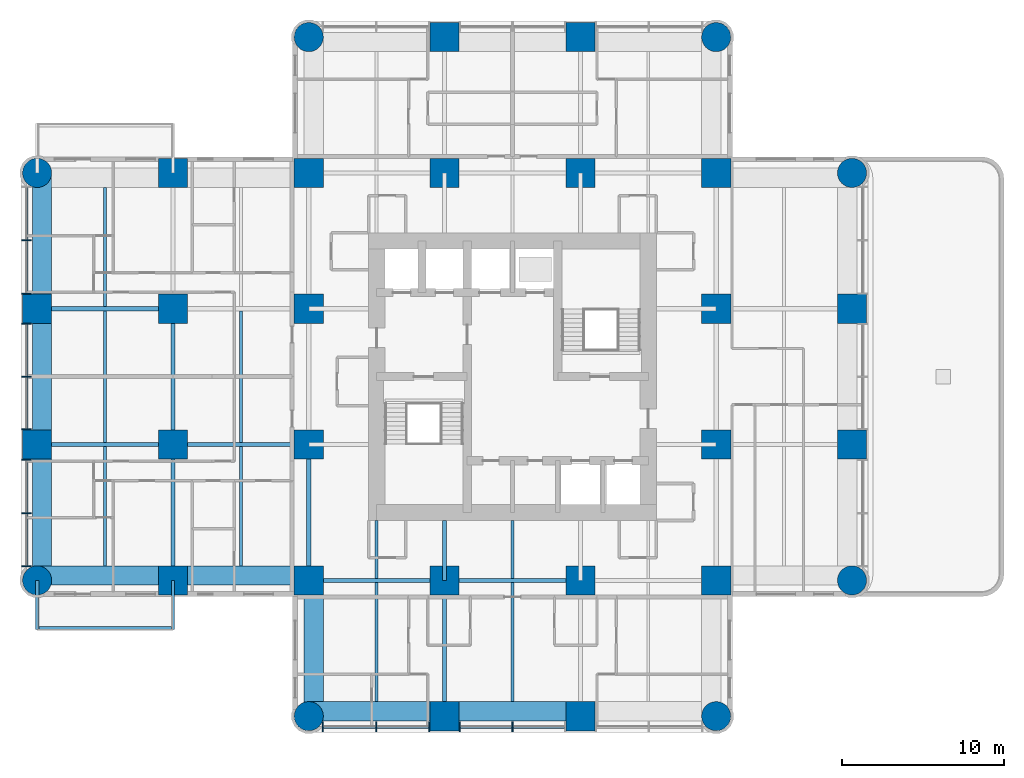
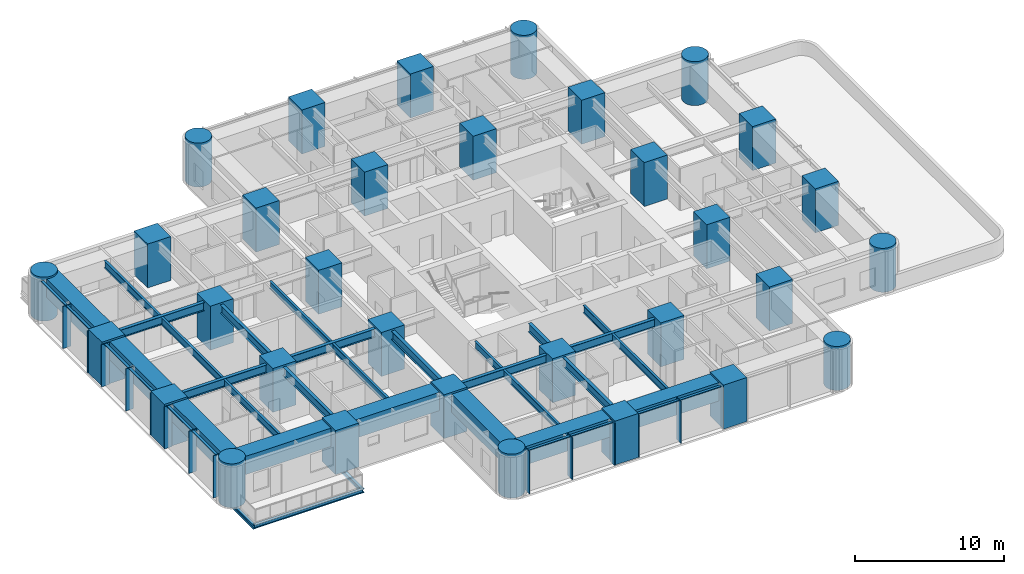
# One storey, part 1 of 12: 32 columns, 30 beams, 23 members, 2 elements without a shape of their own.
"""IFC4 building model written with IfcOpenShell, lengths in metres."""

from ifc_helpers import new_model, si_unit, direction, frame, origin, origin_2d, place, context, subcontext, project, spatial, rectangle, circle, i_section, extrude, material, material_profile, profile_set, type_object, element, aggregate, save


model = new_model("IFC4")

# Units and contexts
model_context = context("Model", 3, precision=1e-05, world=origin(), true_north=direction((0.0, 1.0)))
body_context = subcontext(model_context, "Body", "Model", "MODEL_VIEW")
ifc_project = project(units=[si_unit("LENGTHUNIT", "METRE"), si_unit("AREAUNIT", "SQUARE_METRE"), si_unit("VOLUMEUNIT", "CUBIC_METRE"), si_unit("PLANEANGLEUNIT", "RADIAN"), si_unit("MASSUNIT", "GRAM", prefix="KILO")], contexts=[model_context])

# Site, building, storey
site_placement = place(None, origin())
site = spatial("IfcSite", under=ifc_project, at=site_placement, CompositionType="ELEMENT")
building_placement = place(site_placement, origin())
building = spatial("IfcBuilding", under=site, at=building_placement, Name="Torre Alcanfor", CompositionType="ELEMENT")
storey_placement = place(building_placement, frame((0.0, 0.0, 183.300048828125)))
storey = spatial("IfcBuildingStorey", under=building, at=storey_placement, Name="L47", CompositionType="ELEMENT", Elevation=183.300048828125)

# Columns
ifc_material_1 = material(Name="Concrete f'c 70 MPa", Category="concrete")
ifc_material_profile_1 = material_profile(ifc_material_1, rectangle(XDim=1.800048828125, YDim=1.800048828125, at=origin_2d()), Name="1800x1800")
ifc_profile_set_1 = profile_set([ifc_material_profile_1], Name="Concrete f'c 70 MPa")
column_type_1 = type_object("IfcColumnType", Name="RC column 1800x1800 f'c70", PredefinedType="COLUMN", material=ifc_profile_set_1)
for number, where, z_axis, x_axis, name in (
    (1, (0.0, 25.199951171875, 0.0), (0.0, 0.0, 1.0), (1.0, 0.0, 0.0), "Column 1/F L47"),
    (2, (0.0, 33.60009765625, 0.0), (0.0, 0.0, 1.0), (1.0, 0.0, 0.0), "Column 1/G L47"),
    (3, (8.39990234375, 16.800048828125, 0.0), (0.0, 0.0, 1.0), (1.0, 0.0, 0.0), "Column 2/E L47"),
    (4, (8.39990234375, 25.199951171875, 0.0), (0.0, 0.0, 1.0), (1.0, 0.0, 0.0), "Column 2/F L47"),
    (5, (8.39990234375, 33.60009765625, 0.0), (0.0, 0.0, 1.0), (1.0, 0.0, 0.0), "Column 2/G L47"),
    (6, (8.39990234375, 42.0, 0.0), (0.0, 0.0, 1.0), (1.0, 0.0, 0.0), "Column 2/H L47"),
    (7, (16.800048828125, 16.800048828125, 0.0), (0.0, 0.0, 1.0), (1.0, 0.0, 0.0), "Column 3/E L47"),
    (8, (16.800048828125, 25.199951171875, 0.0), (0.0, 0.0, 1.0), (1.0, 0.0, 0.0), "Column 3/F L47"),
    (9, (16.800048828125, 33.60009765625, 0.0), (0.0, 0.0, 1.0), (1.0, 0.0, 0.0), "Column 3/G L47"),
    (10, (16.800048828125, 42.0, 0.0), (0.0, 0.0, 1.0), (1.0, 0.0, 0.0), "Column 3/H L47"),
    (11, (25.199951171875, 8.39990234375, 0.0), (0.0, 0.0, 1.0), (1.0, 0.0, 0.0), "Column 4/D L47"),
    (12, (25.199951171875, 16.800048828125, 0.0), (0.0, 0.0, 1.0), (1.0, 0.0, 0.0), "Column 4/E L47"),
    (13, (25.199951171875, 42.0, 0.0), (0.0, 0.0, 1.0), (1.0, 0.0, 0.0), "Column 4/H L47"),
    (14, (25.199951171875, 50.39990234375, 0.0), (0.0, 0.0, 1.0), (1.0, 0.0, 0.0), "Column 4/J L47"),
    (15, (33.60009765625, 8.39990234375, 0.0), (0.0, 0.0, 1.0), (1.0, 0.0, 0.0), "Column 5/D L47"),
    (16, (33.60009765625, 16.800048828125, 0.0), (0.0, 0.0, 1.0), (1.0, 0.0, 0.0), "Column 5/E L47"),
    (17, (33.60009765625, 42.0, 0.0), (0.0, 0.0, 1.0), (1.0, 0.0, 0.0), "Column 5/H L47"),
    (18, (33.60009765625, 50.39990234375, 0.0), (0.0, 0.0, 1.0), (1.0, 0.0, 0.0), "Column 5/J L47"),
    (19, (42.0, 16.800048828125, 0.0), (0.0, 0.0, 1.0), (1.0, 0.0, 0.0), "Column 6/E L47"),
    (20, (42.0, 25.199951171875, 0.0), (0.0, 0.0, 1.0), (1.0, 0.0, 0.0), "Column 6/F L47"),
    (21, (42.0, 33.60009765625, 0.0), (0.0, 0.0, 1.0), (1.0, 0.0, 0.0), "Column 6/G L47"),
    (22, (42.0, 42.0, 0.0), (0.0, 0.0, 1.0), (1.0, 0.0, 0.0), "Column 6/H L47"),
    (23, (50.39990234375, 25.199951171875, 0.0), (0.0, 0.0, 1.0), (1.0, 0.0, 0.0), "Column 7/F L47"),
    (24, (50.39990234375, 33.60009765625, 0.0), (0.0, 0.0, 1.0), (1.0, 0.0, 0.0), "Column 7/G L47"),
):
    element("IfcColumn", number, at=place(storey_placement, frame(where, z_axis=z_axis, x_axis=x_axis)), inside=storey, type_object=column_type_1, Name=name, PredefinedType="COLUMN", context=body_context, shape_type="SweptSolid", body=[
        extrude(rectangle(XDim=1.800048828125, YDim=1.800048828125, at=origin_2d()), origin(), (0.0, 0.0, 1.0), 3.599853515625),
    ])
ifc_material_2 = material(Name="Concrete f'c 70 MPa", Category="concrete")
ifc_material_profile_2 = material_profile(ifc_material_2, circle(Radius=0.89990234375, at=origin_2d()), Name="D1800")
ifc_profile_set_2 = profile_set([ifc_material_profile_2], Name="Concrete f'c 70 MPa")
column_type_2 = type_object("IfcColumnType", Name="RC column D1800 f'c70", PredefinedType="COLUMN", material=ifc_profile_set_2)
for number, where, z_axis, x_axis, name in (
    (25, (0.0, 16.800048828125, 0.0), (0.0, 0.0, 1.0), (1.0, 0.0, 0.0), "Column 1/E L47"),
    (26, (0.0, 42.0, 0.0), (0.0, 0.0, 1.0), (1.0, 0.0, 0.0), "Column 1/H L47"),
    (27, (16.800048828125, 8.39990234375, 0.0), (0.0, 0.0, 1.0), (1.0, 0.0, 0.0), "Column 3/D L47"),
    (28, (16.800048828125, 50.39990234375, 0.0), (0.0, 0.0, 1.0), (1.0, 0.0, 0.0), "Column 3/J L47"),
    (29, (42.0, 8.39990234375, 0.0), (0.0, 0.0, 1.0), (1.0, 0.0, 0.0), "Column 6/D L47"),
    (30, (42.0, 50.39990234375, 0.0), (0.0, 0.0, 1.0), (1.0, 0.0, 0.0), "Column 6/J L47"),
    (31, (50.39990234375, 16.800048828125, 0.0), (0.0, 0.0, 1.0), (1.0, 0.0, 0.0), "Column 7/E L47"),
    (32, (50.39990234375, 42.0, 0.0), (0.0, 0.0, 1.0), (1.0, 0.0, 0.0), "Column 7/H L47"),
):
    element("IfcColumn", number, at=place(storey_placement, frame(where, z_axis=z_axis, x_axis=x_axis)), inside=storey, type_object=column_type_2, Name=name, PredefinedType="COLUMN", context=body_context, shape_type="SweptSolid", body=[
        extrude(circle(Radius=0.89990234375, at=origin_2d()), origin(), (0.0, 0.0, 1.0), 3.599853515625),
    ])

# Beams
ifc_material_3 = material(Name="Steel ASTM A992 Grade 50", Category="steel")
ifc_material_profile_3 = material_profile(ifc_material_3, i_section(OverallWidth=0.205322265625, OverallDepth=0.309814453125, WebThickness=0.00927734375, FlangeThickness=0.016357421875, at=origin_2d()), Name="W12x50")
ifc_profile_set_3 = profile_set([ifc_material_profile_3], Name="Steel ASTM A992 Grade 50")
beam_type_1 = type_object("IfcBeamType", Name="Balcony cantilever beam W12x50", PredefinedType="BEAM", material=ifc_profile_set_3)
for number, where, z_axis, x_axis, name in (
    (33, (8.39990234375, 16.800048828125, -0.35498046875), (0.0, -1.0, 0.0), (1.0, 0.0, 0.0), "Balcony cantilever beam L47-W1 1"),
    (34, (0.0, 16.800048828125, -0.35498046875), (0.0, -1.0, 0.0), (1.0, 0.0, 0.0), "Balcony cantilever beam L47-W1 2"),
):
    element("IfcBeam", number, at=place(storey_placement, frame(where, z_axis=z_axis, x_axis=x_axis)), inside=storey, type_object=beam_type_1, Name=name, PredefinedType="BEAM", context=body_context, shape_type="SweptSolid", body=[
        extrude(i_section(OverallWidth=0.205322265625, OverallDepth=0.309814453125, WebThickness=0.00927734375, FlangeThickness=0.016357421875, at=origin_2d()), origin(), (0.0, 0.0, 1.0), 3.050048828125),
    ])
ifc_material_4 = material(Name="Steel ASTM A992 Grade 50", Category="steel")
ifc_material_profile_4 = material_profile(ifc_material_4, i_section(OverallWidth=0.203369140625, OverallDepth=0.30224609375, WebThickness=0.007568359375, FlangeThickness=0.01318359375, at=origin_2d()), Name="W12x40")
ifc_profile_set_4 = profile_set([ifc_material_profile_4], Name="Steel ASTM A992 Grade 50")
beam_type_2 = type_object("IfcBeamType", Name="Balcony edge trimmer W12x40", PredefinedType="BEAM", material=ifc_profile_set_4)
beam_1_placement = place(storey_placement, frame((8.39990234375, 13.851806640625, -0.35107421875), z_axis=(-1.0, 0.0, 0.0), x_axis=(0.0, -1.0, 0.0)))
element("IfcBeam", 35, at=beam_1_placement, inside=storey, type_object=beam_type_2, Name="Balcony edge trimmer L47-W1", PredefinedType="BEAM", context=body_context, shape_type="SweptSolid", body=[
    extrude(i_section(OverallWidth=0.203369140625, OverallDepth=0.30224609375, WebThickness=0.007568359375, FlangeThickness=0.01318359375, at=origin_2d()), origin(), (0.0, 0.0, 1.0), 8.39990234375),
])

# Curtain wall, members
ifc_material_5 = material(Name="Aluminium and glass", Category="aluminium")
curtain_wall_type = type_object("IfcCurtainWallType", Name="CW-A unitised apartment glazing with vertical FIN", PredefinedType="NOTDEFINED", material=ifc_material_5)
curtain_wall_1_placement = place(storey_placement, origin())
curtain_wall_1 = element("IfcCurtainWall", 36, at=curtain_wall_1_placement, inside=storey, type_object=curtain_wall_type, Name="Curtain wall CW-A L47 2", PredefinedType="NOTDEFINED")
ifc_material_6 = material(Name="Bronze anodised aluminium", Category="aluminium")
ifc_material_profile_5 = material_profile(ifc_material_6, rectangle(XDim=0.60009765625, YDim=0.06494140625, at=origin_2d()), Name="CW-A mullion 65x600")
ifc_profile_set_5 = profile_set([ifc_material_profile_5], Name="Bronze anodised aluminium")
member_type_1 = type_object("IfcMemberType", Name="CW-A mullion with vertical FIN 65x600", PredefinedType="MULLION", material=ifc_profile_set_5)
member_1_placement = place(storey_placement, frame((-0.64990234375, 37.835205078125, 0.0), z_axis=(0.0, 0.0, 1.0), x_axis=(1.0, 0.0, 0.0)))
member_1 = element("IfcMember", 37, at=member_1_placement, type_object=member_type_1, Name="CW-A mullion 1.2", PredefinedType="MULLION", context=body_context, shape_type="SweptSolid", body=[
    extrude(rectangle(XDim=0.60009765625, YDim=0.06494140625, at=origin_2d()), origin(), (0.0, 0.0, 1.0), 3.449951171875),
])
member_2_placement = place(storey_placement, frame((-0.64990234375, 34.53759765625, 0.0), z_axis=(0.0, 0.0, 1.0), x_axis=(1.0, 0.0, 0.0)))
member_2 = element("IfcMember", 38, at=member_2_placement, type_object=member_type_1, Name="CW-A mullion 1.3", PredefinedType="MULLION", context=body_context, shape_type="SweptSolid", body=[
    extrude(rectangle(XDim=0.60009765625, YDim=0.06494140625, at=origin_2d()), origin(), (0.0, 0.0, 1.0), 3.449951171875),
])
member_3_placement = place(storey_placement, frame((-0.64990234375, 32.66259765625, 0.0), z_axis=(0.0, 0.0, 1.0), x_axis=(1.0, 0.0, 0.0)))
member_3 = element("IfcMember", 39, at=member_3_placement, type_object=member_type_1, Name="CW-A mullion 2.1", PredefinedType="MULLION", context=body_context, shape_type="SweptSolid", body=[
    extrude(rectangle(XDim=0.60009765625, YDim=0.06494140625, at=origin_2d()), origin(), (0.0, 0.0, 1.0), 3.449951171875),
])
member_4_placement = place(storey_placement, frame((-0.64990234375, 29.39990234375, 0.0), z_axis=(0.0, 0.0, 1.0), x_axis=(1.0, 0.0, 0.0)))
member_4 = element("IfcMember", 40, at=member_4_placement, type_object=member_type_1, Name="CW-A mullion 2.2", PredefinedType="MULLION", context=body_context, shape_type="SweptSolid", body=[
    extrude(rectangle(XDim=0.60009765625, YDim=0.06494140625, at=origin_2d()), origin(), (0.0, 0.0, 1.0), 3.449951171875),
])
member_5_placement = place(storey_placement, frame((-0.64990234375, 26.137451171875, 0.0), z_axis=(0.0, 0.0, 1.0), x_axis=(1.0, 0.0, 0.0)))
member_5 = element("IfcMember", 41, at=member_5_placement, type_object=member_type_1, Name="CW-A mullion 2.3", PredefinedType="MULLION", context=body_context, shape_type="SweptSolid", body=[
    extrude(rectangle(XDim=0.60009765625, YDim=0.06494140625, at=origin_2d()), origin(), (0.0, 0.0, 1.0), 3.449951171875),
])
member_6_placement = place(storey_placement, frame((-0.64990234375, 24.262451171875, 0.0), z_axis=(0.0, 0.0, 1.0), x_axis=(1.0, 0.0, 0.0)))
member_6 = element("IfcMember", 42, at=member_6_placement, type_object=member_type_1, Name="CW-A mullion 3.1", PredefinedType="MULLION", context=body_context, shape_type="SweptSolid", body=[
    extrude(rectangle(XDim=0.60009765625, YDim=0.06494140625, at=origin_2d()), origin(), (0.0, 0.0, 1.0), 3.449951171875),
])
member_7_placement = place(storey_placement, frame((-0.64990234375, 20.96484375, 0.0), z_axis=(0.0, 0.0, 1.0), x_axis=(1.0, 0.0, 0.0)))
member_7 = element("IfcMember", 43, at=member_7_placement, type_object=member_type_1, Name="CW-A mullion 3.2", PredefinedType="MULLION", context=body_context, shape_type="SweptSolid", body=[
    extrude(rectangle(XDim=0.60009765625, YDim=0.06494140625, at=origin_2d()), origin(), (0.0, 0.0, 1.0), 3.449951171875),
])
member_8_placement = place(storey_placement, frame((-0.64990234375, 17.6669921875, 0.0), z_axis=(0.0, 0.0, 1.0), x_axis=(1.0, 0.0, 0.0)))
member_8 = element("IfcMember", 44, at=member_8_placement, type_object=member_type_1, Name="CW-A mullion 3.3", PredefinedType="MULLION", context=body_context, shape_type="SweptSolid", body=[
    extrude(rectangle(XDim=0.60009765625, YDim=0.06494140625, at=origin_2d()), origin(), (0.0, 0.0, 1.0), 3.449951171875),
])

curtain_wall_2_placement = place(storey_placement, origin())
curtain_wall_2 = element("IfcCurtainWall", 45, at=curtain_wall_2_placement, inside=storey, type_object=curtain_wall_type, Name="Curtain wall CW-A L47 5", PredefinedType="NOTDEFINED")
member_9_placement = place(storey_placement, frame((17.6669921875, 7.75, 0.0), z_axis=(0.0, 0.0, 1.0), x_axis=(0.0, 1.0, 0.0)))
member_9 = element("IfcMember", 46, at=member_9_placement, type_object=member_type_1, Name="CW-A mullion 1.1", PredefinedType="MULLION", context=body_context, shape_type="SweptSolid", body=[
    extrude(rectangle(XDim=0.60009765625, YDim=0.06494140625, at=origin_2d()), origin(), (0.0, 0.0, 1.0), 3.449951171875),
])
member_10_placement = place(storey_placement, frame((20.96484375, 7.75, 0.0), z_axis=(0.0, 0.0, 1.0), x_axis=(0.0, 1.0, 0.0)))
member_10 = element("IfcMember", 47, at=member_10_placement, type_object=member_type_1, Name="CW-A mullion 1.2", PredefinedType="MULLION", context=body_context, shape_type="SweptSolid", body=[
    extrude(rectangle(XDim=0.60009765625, YDim=0.06494140625, at=origin_2d()), origin(), (0.0, 0.0, 1.0), 3.449951171875),
])
member_11_placement = place(storey_placement, frame((24.262451171875, 7.75, 0.0), z_axis=(0.0, 0.0, 1.0), x_axis=(0.0, 1.0, 0.0)))
member_11 = element("IfcMember", 48, at=member_11_placement, type_object=member_type_1, Name="CW-A mullion 1.3", PredefinedType="MULLION", context=body_context, shape_type="SweptSolid", body=[
    extrude(rectangle(XDim=0.60009765625, YDim=0.06494140625, at=origin_2d()), origin(), (0.0, 0.0, 1.0), 3.449951171875),
])
member_12_placement = place(storey_placement, frame((26.137451171875, 7.75, 0.0), z_axis=(0.0, 0.0, 1.0), x_axis=(0.0, 1.0, 0.0)))
member_12 = element("IfcMember", 49, at=member_12_placement, type_object=member_type_1, Name="CW-A mullion 2.1", PredefinedType="MULLION", context=body_context, shape_type="SweptSolid", body=[
    extrude(rectangle(XDim=0.60009765625, YDim=0.06494140625, at=origin_2d()), origin(), (0.0, 0.0, 1.0), 3.449951171875),
])
member_13_placement = place(storey_placement, frame((29.39990234375, 7.75, 0.0), z_axis=(0.0, 0.0, 1.0), x_axis=(0.0, 1.0, 0.0)))
member_13 = element("IfcMember", 50, at=member_13_placement, type_object=member_type_1, Name="CW-A mullion 2.2", PredefinedType="MULLION", context=body_context, shape_type="SweptSolid", body=[
    extrude(rectangle(XDim=0.60009765625, YDim=0.06494140625, at=origin_2d()), origin(), (0.0, 0.0, 1.0), 3.449951171875),
])

# Member
ifc_material_7 = material(Name="Extruded aluminium", Category="aluminium")
ifc_material_profile_6 = material_profile(ifc_material_7, rectangle(XDim=0.199951171875, YDim=0.06494140625, at=origin_2d()), Name="CW-A transom 200x65")
ifc_profile_set_6 = profile_set([ifc_material_profile_6], Name="Extruded aluminium")
member_type_2 = type_object("IfcMemberType", Name="CW-A transom 65x200", PredefinedType="USERDEFINED", material=ifc_profile_set_6)
member_14_placement = place(storey_placement, frame((-0.64990234375, 41.1005859375, 3.41748046875), z_axis=(0.0, -1.0, 0.0), x_axis=(1.0, 0.0, 0.0)))
member_14 = element("IfcMember", 51, at=member_14_placement, type_object=member_type_2, Name="CW-A transom 1.1.2", ObjectType="TRANSOM", PredefinedType="USERDEFINED", context=body_context, shape_type="SweptSolid", body=[
    extrude(rectangle(XDim=0.199951171875, YDim=0.06494140625, at=origin_2d()), origin(), (0.0, 0.0, 1.0), 3.23291015625),
])

member_15_placement = place(storey_placement, frame((-0.64990234375, 37.802734375, 3.41748046875), z_axis=(0.0, -1.0, 0.0), x_axis=(1.0, 0.0, 0.0)))
member_15 = element("IfcMember", 52, at=member_15_placement, type_object=member_type_2, Name="CW-A transom 1.2.2", ObjectType="TRANSOM", PredefinedType="USERDEFINED", context=body_context, shape_type="SweptSolid", body=[
    extrude(rectangle(XDim=0.199951171875, YDim=0.06494140625, at=origin_2d()), origin(), (0.0, 0.0, 1.0), 3.232666015625),
])

member_16_placement = place(storey_placement, frame((-0.64990234375, 32.6298828125, 3.41748046875), z_axis=(0.0, -1.0, 0.0), x_axis=(1.0, 0.0, 0.0)))
member_16 = element("IfcMember", 53, at=member_16_placement, type_object=member_type_2, Name="CW-A transom 2.1.2", ObjectType="TRANSOM", PredefinedType="USERDEFINED", context=body_context, shape_type="SweptSolid", body=[
    extrude(rectangle(XDim=0.199951171875, YDim=0.06494140625, at=origin_2d()), origin(), (0.0, 0.0, 1.0), 3.197265625),
])

member_17_placement = place(storey_placement, frame((-0.64990234375, 29.367431640625, 3.41748046875), z_axis=(0.0, -1.0, 0.0), x_axis=(1.0, 0.0, 0.0)))
member_17 = element("IfcMember", 54, at=member_17_placement, type_object=member_type_2, Name="CW-A transom 2.2.2", ObjectType="TRANSOM", PredefinedType="USERDEFINED", context=body_context, shape_type="SweptSolid", body=[
    extrude(rectangle(XDim=0.199951171875, YDim=0.06494140625, at=origin_2d()), origin(), (0.0, 0.0, 1.0), 3.197509765625),
])

member_18_placement = place(storey_placement, frame((-0.64990234375, 24.22998046875, 3.41748046875), z_axis=(0.0, -1.0, 0.0), x_axis=(1.0, 0.0, 0.0)))
member_18 = element("IfcMember", 55, at=member_18_placement, type_object=member_type_2, Name="CW-A transom 3.1.2", ObjectType="TRANSOM", PredefinedType="USERDEFINED", context=body_context, shape_type="SweptSolid", body=[
    extrude(rectangle(XDim=0.199951171875, YDim=0.06494140625, at=origin_2d()), origin(), (0.0, 0.0, 1.0), 3.232666015625),
])

member_19_placement = place(storey_placement, frame((-0.64990234375, 20.93212890625, 3.41748046875), z_axis=(0.0, -1.0, 0.0), x_axis=(1.0, 0.0, 0.0)))
member_19 = element("IfcMember", 56, at=member_19_placement, type_object=member_type_2, Name="CW-A transom 3.2.2", ObjectType="TRANSOM", PredefinedType="USERDEFINED", context=body_context, shape_type="SweptSolid", body=[
    extrude(rectangle(XDim=0.199951171875, YDim=0.06494140625, at=origin_2d()), origin(), (0.0, 0.0, 1.0), 3.232666015625),
])

aggregate(curtain_wall_1, [member_1, member_2, member_14, member_15, member_3, member_4, member_5, member_16, member_17, member_6, member_7, member_8, member_18, member_19])

member_20_placement = place(storey_placement, frame((17.699462890625, 7.75, 3.41748046875), z_axis=(1.0, 0.0, 0.0), x_axis=(0.0, 1.0, 0.0)))
member_20 = element("IfcMember", 57, at=member_20_placement, type_object=member_type_2, Name="CW-A transom 1.1.2", ObjectType="TRANSOM", PredefinedType="USERDEFINED", context=body_context, shape_type="SweptSolid", body=[
    extrude(rectangle(XDim=0.199951171875, YDim=0.06494140625, at=origin_2d()), origin(), (0.0, 0.0, 1.0), 3.232666015625),
])

member_21_placement = place(storey_placement, frame((20.997314453125, 7.75, 3.41748046875), z_axis=(1.0, 0.0, 0.0), x_axis=(0.0, 1.0, 0.0)))
member_21 = element("IfcMember", 58, at=member_21_placement, type_object=member_type_2, Name="CW-A transom 1.2.2", ObjectType="TRANSOM", PredefinedType="USERDEFINED", context=body_context, shape_type="SweptSolid", body=[
    extrude(rectangle(XDim=0.199951171875, YDim=0.06494140625, at=origin_2d()), origin(), (0.0, 0.0, 1.0), 3.232666015625),
])

member_22_placement = place(storey_placement, frame((26.169921875, 7.75, 3.41748046875), z_axis=(1.0, 0.0, 0.0), x_axis=(0.0, 1.0, 0.0)))
member_22 = element("IfcMember", 59, at=member_22_placement, type_object=member_type_2, Name="CW-A transom 2.1.2", ObjectType="TRANSOM", PredefinedType="USERDEFINED", context=body_context, shape_type="SweptSolid", body=[
    extrude(rectangle(XDim=0.199951171875, YDim=0.06494140625, at=origin_2d()), origin(), (0.0, 0.0, 1.0), 3.197509765625),
])

member_23_placement = place(storey_placement, frame((29.4326171875, 7.75, 3.41748046875), z_axis=(1.0, 0.0, 0.0), x_axis=(0.0, 1.0, 0.0)))
member_23 = element("IfcMember", 60, at=member_23_placement, type_object=member_type_2, Name="CW-A transom 2.2.2", ObjectType="TRANSOM", PredefinedType="USERDEFINED", context=body_context, shape_type="SweptSolid", body=[
    extrude(rectangle(XDim=0.199951171875, YDim=0.06494140625, at=origin_2d()), origin(), (0.0, 0.0, 1.0), 3.197265625),
])

aggregate(curtain_wall_2, [member_9, member_10, member_11, member_20, member_21, member_12, member_13, member_22, member_23])

# Beams
ifc_material_8 = material(Name="Steel ASTM A992 Grade 50", Category="steel")
ifc_material_profile_7 = material_profile(ifc_material_8, i_section(OverallWidth=0.25390625, OverallDepth=0.683349609375, WebThickness=0.012451171875, FlangeThickness=0.01904296875, at=origin_2d()), Name="W27x94")
ifc_profile_set_7 = profile_set([ifc_material_profile_7], Name="Steel ASTM A992 Grade 50")
beam_type_3 = type_object("IfcBeamType", Name="Girder W27x94", PredefinedType="BEAM", material=ifc_profile_set_7)
beam_2_placement = place(storey_placement, frame((16.800048828125, 16.800048828125, 3.1083984375), z_axis=(1.0, 0.0, 0.0), x_axis=(0.0, 1.0, 0.0)))
element("IfcBeam", 61, at=beam_2_placement, inside=storey, type_object=beam_type_3, Name="Beam 3E-4E under L48", PredefinedType="BEAM", context=body_context, shape_type="SweptSolid", body=[
    extrude(i_section(OverallWidth=0.25390625, OverallDepth=0.683349609375, WebThickness=0.012451171875, FlangeThickness=0.01904296875, at=origin_2d()), origin(), (0.0, 0.0, 1.0), 8.39990234375),
])
beam_3_placement = place(storey_placement, frame((25.199951171875, 16.800048828125, 3.1083984375), z_axis=(1.0, 0.0, 0.0), x_axis=(0.0, 1.0, 0.0)))
element("IfcBeam", 62, at=beam_3_placement, inside=storey, type_object=beam_type_3, Name="Beam 4E-5E under L48", PredefinedType="BEAM", context=body_context, shape_type="SweptSolid", body=[
    extrude(i_section(OverallWidth=0.25390625, OverallDepth=0.683349609375, WebThickness=0.012451171875, FlangeThickness=0.01904296875, at=origin_2d()), origin(), (0.0, 0.0, 1.0), 8.400146484375),
])
beam_4_placement = place(storey_placement, frame((0.0, 25.199951171875, 3.1083984375), z_axis=(1.0, 0.0, 0.0), x_axis=(0.0, 1.0, 0.0)))
element("IfcBeam", 63, at=beam_4_placement, inside=storey, type_object=beam_type_3, Name="Beam 1F-2F under L48", PredefinedType="BEAM", context=body_context, shape_type="SweptSolid", body=[
    extrude(i_section(OverallWidth=0.25390625, OverallDepth=0.683349609375, WebThickness=0.012451171875, FlangeThickness=0.01904296875, at=origin_2d()), origin(), (0.0, 0.0, 1.0), 8.39990234375),
])
beam_5_placement = place(storey_placement, frame((8.39990234375, 25.199951171875, 3.1083984375), z_axis=(1.0, 0.0, 0.0), x_axis=(0.0, 1.0, 0.0)))
element("IfcBeam", 64, at=beam_5_placement, inside=storey, type_object=beam_type_3, Name="Beam 2F-3F under L48", PredefinedType="BEAM", context=body_context, shape_type="SweptSolid", body=[
    extrude(i_section(OverallWidth=0.25390625, OverallDepth=0.683349609375, WebThickness=0.012451171875, FlangeThickness=0.01904296875, at=origin_2d()), origin(), (0.0, 0.0, 1.0), 8.400146484375),
])
for number, where, z_axis, x_axis, name in (
    (65, (0.0, 33.60009765625, 3.1083984375), (1.0, 0.0, 0.0), (0.0, 1.0, 0.0), "Beam 1G-2G under L48"),
    (66, (8.39990234375, 16.800048828125, 3.1083984375), (0.0, 1.0, 0.0), (-1.0, 0.0, 0.0), "Beam 2E-2F under L48"),
):
    element("IfcBeam", number, at=place(storey_placement, frame(where, z_axis=z_axis, x_axis=x_axis)), inside=storey, type_object=beam_type_3, Name=name, PredefinedType="BEAM", context=body_context, shape_type="SweptSolid", body=[
        extrude(i_section(OverallWidth=0.25390625, OverallDepth=0.683349609375, WebThickness=0.012451171875, FlangeThickness=0.01904296875, at=origin_2d()), origin(), (0.0, 0.0, 1.0), 8.39990234375),
    ])
beam_6_placement = place(storey_placement, frame((8.39990234375, 25.199951171875, 3.1083984375), z_axis=(0.0, 1.0, 0.0), x_axis=(-1.0, 0.0, 0.0)))
element("IfcBeam", 67, at=beam_6_placement, inside=storey, type_object=beam_type_3, Name="Beam 2F-2G under L48", PredefinedType="BEAM", context=body_context, shape_type="SweptSolid", body=[
    extrude(i_section(OverallWidth=0.25390625, OverallDepth=0.683349609375, WebThickness=0.012451171875, FlangeThickness=0.01904296875, at=origin_2d()), origin(), (0.0, 0.0, 1.0), 8.400146484375),
])
beam_7_placement = place(storey_placement, frame((16.800048828125, 16.800048828125, 3.1083984375), z_axis=(0.0, 1.0, 0.0), x_axis=(-1.0, 0.0, 0.0)))
element("IfcBeam", 68, at=beam_7_placement, inside=storey, type_object=beam_type_3, Name="Beam 3E-3F under L48", PredefinedType="BEAM", context=body_context, shape_type="SweptSolid", body=[
    extrude(i_section(OverallWidth=0.25390625, OverallDepth=0.683349609375, WebThickness=0.012451171875, FlangeThickness=0.01904296875, at=origin_2d()), origin(), (0.0, 0.0, 1.0), 8.39990234375),
])
beam_8_placement = place(storey_placement, frame((25.199951171875, 8.39990234375, 3.1083984375), z_axis=(0.0, 1.0, 0.0), x_axis=(-1.0, 0.0, 0.0)))
element("IfcBeam", 69, at=beam_8_placement, inside=storey, type_object=beam_type_3, Name="Beam 4D-4E under L48", PredefinedType="BEAM", context=body_context, shape_type="SweptSolid", body=[
    extrude(i_section(OverallWidth=0.25390625, OverallDepth=0.683349609375, WebThickness=0.012451171875, FlangeThickness=0.01904296875, at=origin_2d()), origin(), (0.0, 0.0, 1.0), 8.400146484375),
])
ifc_material_9 = material(Name="Steel ASTM A992 Grade 50", Category="steel")
ifc_material_profile_8 = material_profile(ifc_material_9, i_section(OverallWidth=0.25390625, OverallDepth=0.683349609375, WebThickness=0.012451171875, FlangeThickness=0.01904296875, at=origin_2d()), Name="W27x94")
ifc_profile_set_8 = profile_set([ifc_material_profile_8], Name="Steel ASTM A992 Grade 50")
beam_type_4 = type_object("IfcBeamType", Name="Girder, part bay W27x94", PredefinedType="BEAM", material=ifc_profile_set_8)
beam_9_placement = place(storey_placement, frame((25.199951171875, 16.800048828125, 3.1083984375), z_axis=(0.0, 1.0, 0.0), x_axis=(-1.0, 0.0, 0.0)))
element("IfcBeam", 70, at=beam_9_placement, inside=storey, type_object=beam_type_4, Name="Beam 4E-420_5 under L48", PredefinedType="BEAM", context=body_context, shape_type="SweptSolid", body=[
    extrude(i_section(OverallWidth=0.25390625, OverallDepth=0.683349609375, WebThickness=0.012451171875, FlangeThickness=0.01904296875, at=origin_2d()), origin(), (0.0, 0.0, 1.0), 3.699951171875),
])
ifc_material_10 = material(Name="Concrete f'c 70 MPa", Category="concrete")
ifc_material_profile_9 = material_profile(ifc_material_10, rectangle(XDim=1.199951171875, YDim=1.5, at=origin_2d()), Name="1200x1500")
ifc_profile_set_9 = profile_set([ifc_material_profile_9], Name="Concrete f'c 70 MPa")
beam_type_5 = type_object("IfcBeamType", Name="RC perimeter beam 1200x1500", PredefinedType="BEAM", material=ifc_profile_set_9)
beam_10_placement = place(storey_placement, frame((16.800048828125, 8.699951171875, 2.699951171875), z_axis=(1.0, 0.0, 0.0), x_axis=(0.0, 1.0, 0.0)))
element("IfcBeam", 71, at=beam_10_placement, inside=storey, type_object=beam_type_5, Name="Beam 3D-4D under L48", PredefinedType="BEAM", context=body_context, shape_type="SweptSolid", body=[
    extrude(rectangle(XDim=1.199951171875, YDim=1.5, at=origin_2d()), origin(), (0.0, 0.0, 1.0), 8.27294921875),
])
beam_11_placement = place(storey_placement, frame((25.326904296875, 8.699951171875, 2.699951171875), z_axis=(1.0, 0.0, 0.0), x_axis=(0.0, 1.0, 0.0)))
element("IfcBeam", 72, at=beam_11_placement, inside=storey, type_object=beam_type_5, Name="Beam 4D-5D under L48", PredefinedType="BEAM", context=body_context, shape_type="SweptSolid", body=[
    extrude(rectangle(XDim=1.199951171875, YDim=1.5, at=origin_2d()), origin(), (0.0, 0.0, 1.0), 8.14599609375),
])
beam_12_placement = place(storey_placement, frame((0.0, 17.10009765625, 2.699951171875), z_axis=(1.0, 0.0, 0.0), x_axis=(0.0, 1.0, 0.0)))
element("IfcBeam", 73, at=beam_12_placement, inside=storey, type_object=beam_type_5, Name="Beam 1E-2E under L48", PredefinedType="BEAM", context=body_context, shape_type="SweptSolid", body=[
    extrude(rectangle(XDim=1.199951171875, YDim=1.5, at=origin_2d()), origin(), (0.0, 0.0, 1.0), 8.27294921875),
])
beam_13_placement = place(storey_placement, frame((8.527099609375, 17.10009765625, 2.699951171875), z_axis=(1.0, 0.0, 0.0), x_axis=(0.0, 1.0, 0.0)))
element("IfcBeam", 74, at=beam_13_placement, inside=storey, type_object=beam_type_5, Name="Beam 2E-3E under L48", PredefinedType="BEAM", context=body_context, shape_type="SweptSolid", body=[
    extrude(rectangle(XDim=1.199951171875, YDim=1.5, at=origin_2d()), origin(), (0.0, 0.0, 1.0), 8.14599609375),
])
beam_14_placement = place(storey_placement, frame((0.300048828125, 16.800048828125, 2.699951171875), z_axis=(0.0, 1.0, 0.0), x_axis=(-1.0, 0.0, 0.0)))
element("IfcBeam", 75, at=beam_14_placement, inside=storey, type_object=beam_type_5, Name="Beam 1E-1F under L48", PredefinedType="BEAM", context=body_context, shape_type="SweptSolid", body=[
    extrude(rectangle(XDim=1.199951171875, YDim=1.5, at=origin_2d()), origin(), (0.0, 0.0, 1.0), 8.27294921875),
])
beam_15_placement = place(storey_placement, frame((0.300048828125, 25.326904296875, 2.699951171875), z_axis=(0.0, 1.0, 0.0), x_axis=(-1.0, 0.0, 0.0)))
element("IfcBeam", 76, at=beam_15_placement, inside=storey, type_object=beam_type_5, Name="Beam 1F-1G under L48", PredefinedType="BEAM", context=body_context, shape_type="SweptSolid", body=[
    extrude(rectangle(XDim=1.199951171875, YDim=1.5, at=origin_2d()), origin(), (0.0, 0.0, 1.0), 8.14599609375),
])
beam_16_placement = place(storey_placement, frame((0.300048828125, 33.72705078125, 2.699951171875), z_axis=(0.0, 1.0, 0.0), x_axis=(-1.0, 0.0, 0.0)))
element("IfcBeam", 77, at=beam_16_placement, inside=storey, type_object=beam_type_5, Name="Beam 1G-1H under L48", PredefinedType="BEAM", context=body_context, shape_type="SweptSolid", body=[
    extrude(rectangle(XDim=1.199951171875, YDim=1.5, at=origin_2d()), origin(), (0.0, 0.0, 1.0), 8.27294921875),
])
beam_17_placement = place(storey_placement, frame((17.10009765625, 8.39990234375, 2.699951171875), z_axis=(0.0, 1.0, 0.0), x_axis=(-1.0, 0.0, 0.0)))
element("IfcBeam", 78, at=beam_17_placement, inside=storey, type_object=beam_type_5, Name="Beam 3D-3E under L48", PredefinedType="BEAM", context=body_context, shape_type="SweptSolid", body=[
    extrude(rectangle(XDim=1.199951171875, YDim=1.5, at=origin_2d()), origin(), (0.0, 0.0, 1.0), 8.273193359375),
])
ifc_material_11 = material(Name="Steel ASTM A992 Grade 50", Category="steel")
ifc_material_profile_10 = material_profile(ifc_material_11, i_section(OverallWidth=0.1787109375, OverallDepth=0.60205078125, WebThickness=0.010986328125, FlangeThickness=0.014892578125, at=origin_2d()), Name="W24x62")
ifc_profile_set_10 = profile_set([ifc_material_profile_10], Name="Steel ASTM A992 Grade 50")
beam_type_6 = type_object("IfcBeamType", Name="Secondary beam W24x62", PredefinedType="BEAM", material=ifc_profile_set_10)
beam_18_placement = place(storey_placement, frame((4.199951171875, 17.699951171875, 3.14892578125), z_axis=(0.0, 1.0, 0.0), x_axis=(-1.0, 0.0, 0.0)))
element("IfcBeam", 79, at=beam_18_placement, inside=storey, type_object=beam_type_6, Name="Beam 4_2E-4_2F under L48", PredefinedType="BEAM", context=body_context, shape_type="SweptSolid", body=[
    extrude(i_section(OverallWidth=0.1787109375, OverallDepth=0.60205078125, WebThickness=0.010986328125, FlangeThickness=0.014892578125, at=origin_2d()), origin(), (0.0, 0.0, 1.0), 7.373046875),
])
beam_19_placement = place(storey_placement, frame((4.199951171875, 25.326904296875, 3.14892578125), z_axis=(0.0, 1.0, 0.0), x_axis=(-1.0, 0.0, 0.0)))
element("IfcBeam", 80, at=beam_19_placement, inside=storey, type_object=beam_type_6, Name="Beam 4_2F-4_2G under L48", PredefinedType="BEAM", context=body_context, shape_type="SweptSolid", body=[
    extrude(i_section(OverallWidth=0.1787109375, OverallDepth=0.60205078125, WebThickness=0.010986328125, FlangeThickness=0.014892578125, at=origin_2d()), origin(), (0.0, 0.0, 1.0), 8.14599609375),
])
for number, where, z_axis, x_axis, name in (
    (81, (4.199951171875, 33.72705078125, 3.14892578125), (0.0, 1.0, 0.0), (-1.0, 0.0, 0.0), "Beam 4_2G-4_2H under L48"),
    (82, (12.60009765625, 17.699951171875, 3.14892578125), (0.0, 1.0, 0.0), (-1.0, 0.0, 0.0), "Beam 12_6E-12_6F under L48"),
):
    element("IfcBeam", number, at=place(storey_placement, frame(where, z_axis=z_axis, x_axis=x_axis)), inside=storey, type_object=beam_type_6, Name=name, PredefinedType="BEAM", context=body_context, shape_type="SweptSolid", body=[
        extrude(i_section(OverallWidth=0.1787109375, OverallDepth=0.60205078125, WebThickness=0.010986328125, FlangeThickness=0.014892578125, at=origin_2d()), origin(), (0.0, 0.0, 1.0), 7.373046875),
    ])
beam_20_placement = place(storey_placement, frame((12.60009765625, 25.326904296875, 3.14892578125), z_axis=(0.0, 1.0, 0.0), x_axis=(-1.0, 0.0, 0.0)))
element("IfcBeam", 83, at=beam_20_placement, inside=storey, type_object=beam_type_6, Name="Beam 12_6F-12_6G under L48", PredefinedType="BEAM", context=body_context, shape_type="SweptSolid", body=[
    extrude(i_section(OverallWidth=0.1787109375, OverallDepth=0.60205078125, WebThickness=0.010986328125, FlangeThickness=0.014892578125, at=origin_2d()), origin(), (0.0, 0.0, 1.0), 8.14599609375),
])
for number, where, z_axis, x_axis, name in (
    (84, (21.0, 9.300048828125, 3.14892578125), (0.0, 1.0, 0.0), (-1.0, 0.0, 0.0), "Beam 21D-21E under L48"),
    (85, (29.39990234375, 9.300048828125, 3.14892578125), (0.0, 1.0, 0.0), (-1.0, 0.0, 0.0), "Beam 29_4D-29_4E under L48"),
):
    element("IfcBeam", number, at=place(storey_placement, frame(where, z_axis=z_axis, x_axis=x_axis)), inside=storey, type_object=beam_type_6, Name=name, PredefinedType="BEAM", context=body_context, shape_type="SweptSolid", body=[
        extrude(i_section(OverallWidth=0.1787109375, OverallDepth=0.60205078125, WebThickness=0.010986328125, FlangeThickness=0.014892578125, at=origin_2d()), origin(), (0.0, 0.0, 1.0), 7.373046875),
    ])
ifc_material_12 = material(Name="Steel ASTM A992 Grade 50", Category="steel")
ifc_material_profile_11 = material_profile(ifc_material_12, i_section(OverallWidth=0.1787109375, OverallDepth=0.60205078125, WebThickness=0.010986328125, FlangeThickness=0.014892578125, at=origin_2d()), Name="W24x62")
ifc_profile_set_11 = profile_set([ifc_material_profile_11], Name="Steel ASTM A992 Grade 50")
beam_type_7 = type_object("IfcBeamType", Name="Secondary beam, part bay W24x62", PredefinedType="BEAM", material=ifc_profile_set_11)
for number, where, z_axis, x_axis, name in (
    (86, (21.0, 16.927001953125, 3.14892578125), (0.0, 1.0, 0.0), (-1.0, 0.0, 0.0), "Beam 21E-2120_5 under L48"),
    (87, (29.39990234375, 16.927001953125, 3.14892578125), (0.0, 1.0, 0.0), (-1.0, 0.0, 0.0), "Beam 29_4E-29_420_5 under L48"),
):
    element("IfcBeam", number, at=place(storey_placement, frame(where, z_axis=z_axis, x_axis=x_axis)), inside=storey, type_object=beam_type_7, Name=name, PredefinedType="BEAM", context=body_context, shape_type="SweptSolid", body=[
        extrude(i_section(OverallWidth=0.1787109375, OverallDepth=0.60205078125, WebThickness=0.010986328125, FlangeThickness=0.014892578125, at=origin_2d()), origin(), (0.0, 0.0, 1.0), 3.572998046875),
    ])

save(model, "model.ifc")
